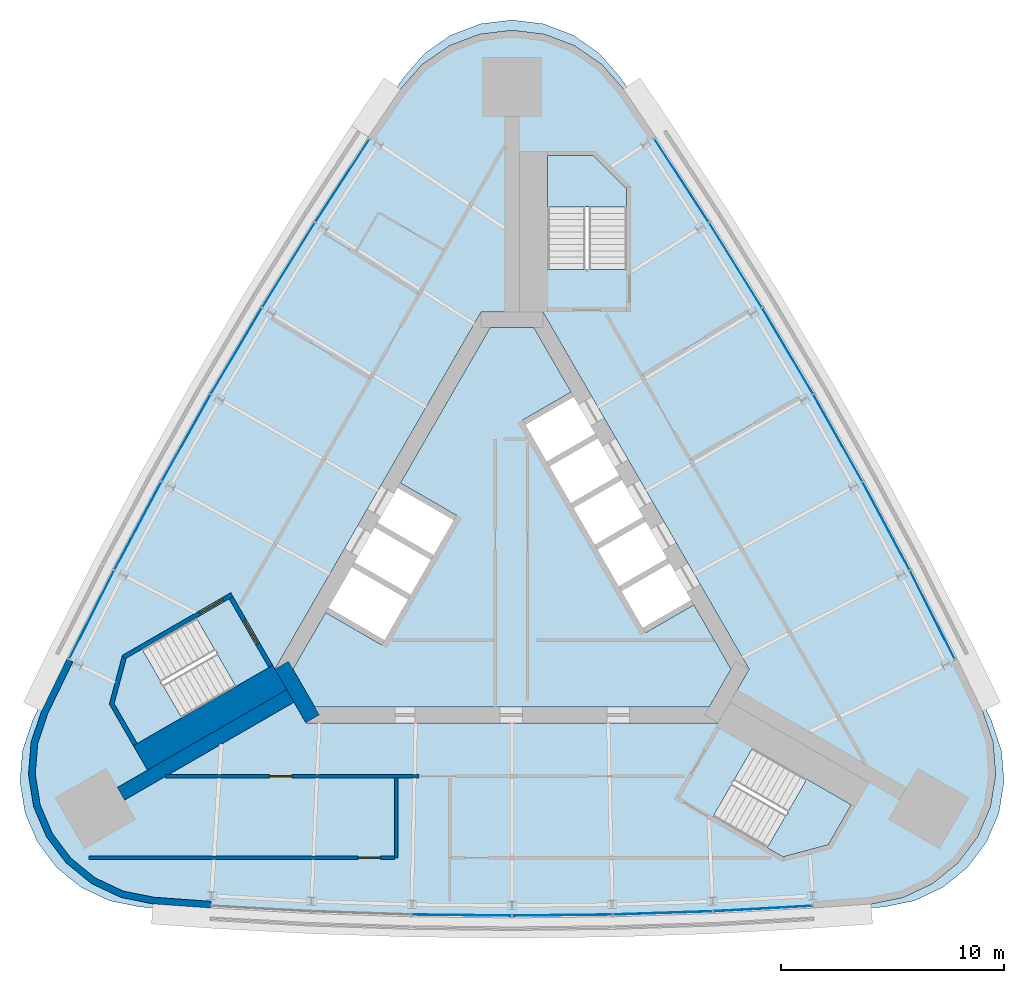
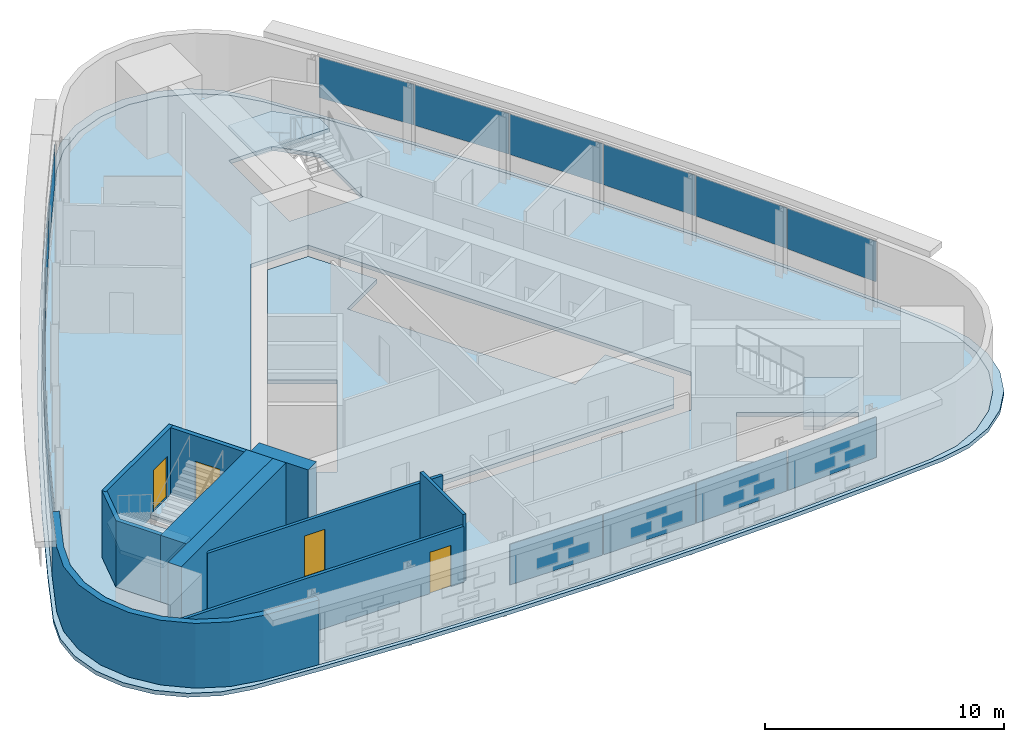
# One storey, part 6 of 11: 16 plates, 10 walls, 6 slabs, 4 doors, 4 openings, 6 elements without a shape of their own.
"""IFC4 building model written with IfcOpenShell, lengths in metres."""

from ifc_helpers import new_model, si_unit, direction, frame, frame_2d, origin, origin_2d, place, context, subcontext, project, spatial, polyline, rectangle, outline, extrude, material, layer, layer_set, type_object, element, fill, aggregate, save


model = new_model("IFC4")

# Units and contexts
model_context = context("Model", 3, precision=1e-05, world=origin(), true_north=direction((0.0, 1.0)))
body_context = subcontext(model_context, "Body", "Model", "MODEL_VIEW")
ifc_project = project(units=[si_unit("LENGTHUNIT", "METRE"), si_unit("AREAUNIT", "SQUARE_METRE"), si_unit("VOLUMEUNIT", "CUBIC_METRE"), si_unit("PLANEANGLEUNIT", "RADIAN"), si_unit("MASSUNIT", "GRAM", prefix="KILO")], contexts=[model_context])

# Site, building, storey
site_placement = place(None, origin())
site = spatial("IfcSite", under=ifc_project, at=site_placement, CompositionType="ELEMENT")
building_placement = place(site_placement, origin())
building = spatial("IfcBuilding", under=site, at=building_placement, Name="Noor Cloister Tower", CompositionType="ELEMENT")
storey_placement = place(building_placement, frame((0.0, 0.0, 203.10009765625)))
storey = spatial("IfcBuildingStorey", under=building, at=storey_placement, Name="L52", CompositionType="ELEMENT", Elevation=203.10009765625)

# Slabs
ifc_material_1 = material(Name="Concrete C40/50", Category="concrete")
ifc_layer_1 = layer(ifc_material_1, 0.199951171875)
ifc_layer_set_1 = layer_set([ifc_layer_1], Name="Core floor slab 200 C40/50")
slab_type_1 = type_object("IfcSlabType", Name="Core floor slab 200 C40/50", PredefinedType="FLOOR", material=ifc_layer_set_1)
slab_1_placement = place(storey_placement, frame((0.0, 0.0, -0.2001953125)))
element("IfcSlab", 1, at=slab_1_placement, inside=storey, type_object=slab_type_1, Name="Core floor L52", PredefinedType="FLOOR", context=body_context, shape_type="SweptSolid", body=[
    extrude(outline(polyline([(2.643798828125, 7.877197265625), (0.9814453125, 10.75634765625), (-0.9814453125, 10.75634765625), (-4.993896484375, 3.806884765625), (-2.482421875, 2.35693359375), (-5.832275390625, -3.4453125), (-8.34375, -1.995361328125), (-9.80615234375, -4.5283203125), (-8.82470703125, -6.228271484375), (8.82470703125, -6.228271484375), (9.80615234375, -4.5283203125), (8.143798828125, -1.64892578125), (5.978759765625, -2.89892578125), (0.478759765625, 6.627197265625), (2.643798828125, 7.877197265625)])), origin(), (0.0, 0.0, 1.0), 0.2001953125),
])
ifc_material_2 = material(Name="Concrete C40/50", Category="concrete")
ifc_layer_2 = layer(ifc_material_2, 0.199951171875)
ifc_layer_set_2 = layer_set([ifc_layer_2], Name="Floor slab 200 C40/50")
slab_type_2 = type_object("IfcSlabType", Name="Floor slab 200 C40/50", PredefinedType="FLOOR", material=ifc_layer_set_2)
slab_2_placement = place(storey_placement, frame((0.0, 0.0, -0.2001953125)))
element("IfcSlab", 2, at=slab_2_placement, inside=storey, type_object=slab_type_2, Name="Floor slab L52", PredefinedType="FLOOR", context=body_context, shape_type="SweptSolid", body=[
    extrude(outline(polyline([(4.985107421875, 21.43994140625), (4.018310546875, 22.535888671875), (2.816650390625, 23.36767578125), (1.45068359375, 23.88720703125), (0.0, 24.063720703125), (-1.45068359375, 23.88720703125), (-2.816650390625, 23.36767578125), (-4.018310546875, 22.535888671875), (-4.985107421875, 21.43994140625), (-6.43896484375, 19.294677734375), (-8.898681640625, 15.526611328125), (-11.275390625, 11.70556640625), (-13.56787109375, 7.83349609375), (-15.775146484375, 3.912109375), (-17.895751953125, -0.056884765625), (-19.92919921875, -4.071044921875), (-21.060302734375, -6.40283203125), (-21.52587890625, -7.7880859375), (-21.6455078125, -9.24462890625), (-21.412353515625, -10.687255859375), (-20.83984375, -12.031982421875), (-19.96142578125, -13.199951171875), (-18.82861328125, -14.123291015625), (-17.507568359375, -14.747802734375), (-16.074951171875, -15.037353515625), (-13.490234375, -15.2236328125), (-8.9970703125, -15.469970703125), (-4.499755859375, -15.61767578125), (0.0, -15.666748046875), (4.499755859375, -15.61767578125), (8.9970703125, -15.469970703125), (13.490234375, -15.2236328125), (16.074951171875, -15.037353515625), (17.507568359375, -14.747802734375), (18.82861328125, -14.123291015625), (19.96142578125, -13.199951171875), (20.83984375, -12.031982421875), (21.412353515625, -10.687255859375), (21.6455078125, -9.24462890625), (21.52587890625, -7.7880859375), (21.060302734375, -6.40283203125), (19.92919921875, -4.071044921875), (17.895751953125, -0.056884765625), (15.775146484375, 3.912109375), (13.56787109375, 7.83349609375), (11.275390625, 11.70556640625), (8.898681640625, 15.526611328125), (6.43896484375, 19.294677734375), (4.985107421875, 21.43994140625)]), holes=[polyline([(8.999755859375, -11.126220703125), (12.131591796875, -12.934326171875), (14.1572265625, -12.3916015625), (15.19091796875, -10.601318359375), (10.774658203125, -8.0517578125), (8.999755859375, -11.126220703125)]), polyline([(-17.81005859375, -6.064697265625), (-16.776611328125, -7.85498046875), (-12.3603515625, -5.305419921875), (-14.13525390625, -2.23095703125), (-16.662841796875, -3.690185546875), (-17.267333984375, -4.039306640625), (-17.81005859375, -6.064697265625)]), polyline([(-10.6142578125, -4.5283203125), (-9.228759765625, -6.92822265625), (9.228759765625, -6.92822265625), (10.6142578125, -4.5283203125), (1.3857421875, 11.456298828125), (-1.3857421875, 11.456298828125), (-10.6142578125, -4.5283203125)]), polyline([(3.65283203125, 18.456298828125), (1.585693359375, 18.456298828125), (1.585693359375, 13.35693359375), (5.135498046875, 13.35693359375), (5.135498046875, 16.9736328125), (3.65283203125, 18.456298828125)])]), origin(), (0.0, 0.0, 1.0), 0.2001953125),
])

# Curtain wall, plates
ifc_material_3 = material(Name="Aluminium 6063-T6 anodised", Category="aluminium")
curtain_wall_type = type_object("IfcCurtainWallType", Name="Ribbon curtain wall, upper tower CW5", PredefinedType="NOTDEFINED", material=ifc_material_3)
curtain_wall_1_placement = place(storey_placement, origin())
curtain_wall_1 = element("IfcCurtainWall", 3, at=curtain_wall_1_placement, inside=storey, type_object=curtain_wall_type, Name="CW5 L52 NW run 1", PredefinedType="NOTDEFINED")
ifc_material_4 = material(Name="Clear laminated glass 2 x 8 mm", Category="glass")
ifc_layer_3 = layer(ifc_material_4, 0.028076171875)
ifc_layer_set_3 = layer_set([ifc_layer_3], Name="Glass panel CW5")
plate_type = type_object("IfcPlateType", Name="Glass panel CW5", PredefinedType="CURTAIN_PANEL", material=ifc_layer_set_3)
plate_1_placement = place(storey_placement, frame((-7.594482421875, 17.341796875, 1.08984375), z_axis=(0.0, 0.0, 1.0), x_axis=(-0.546624100567, -0.837378106162, 0.0)))
plate_1 = element("IfcPlate", 4, at=plate_1_placement, type_object=plate_type, Name="CW5 glass panel 1", PredefinedType="CURTAIN_PANEL", context=body_context, shape_type="SweptSolid", body=[
    extrude(rectangle(XDim=4.413818359375, YDim=0.028076171875, at=origin_2d()), origin(), (0.0, 0.0, 1.0), 2.070068359375),
])
plate_2_placement = place(storey_placement, frame((-10.002197265625, 13.563232421875, 1.08984375), z_axis=(0.0, 0.0, 1.0), x_axis=(-0.528163163581, -0.84914290472, 0.0)))
plate_2 = element("IfcPlate", 5, at=plate_2_placement, type_object=plate_type, Name="CW5 glass panel 2", PredefinedType="CURTAIN_PANEL", context=body_context, shape_type="SweptSolid", body=[
    extrude(rectangle(XDim=4.44775390625, YDim=0.028076171875, at=origin_2d()), origin(), (0.0, 0.0, 1.0), 2.070068359375),
])
plate_3_placement = place(storey_placement, frame((-12.335693359375, 9.718505859375, 1.08984375), z_axis=(0.0, 0.0, 1.0), x_axis=(-0.509449137015, -0.860500770944, 0.0)))
plate_3 = element("IfcPlate", 6, at=plate_3_placement, type_object=plate_type, Name="CW5 glass panel 3", PredefinedType="CURTAIN_PANEL", context=body_context, shape_type="SweptSolid", body=[
    extrude(rectangle(XDim=4.44775390625, YDim=0.028076171875, at=origin_2d()), origin(), (0.0, 0.0, 1.0), 2.070068359375),
])
plate_4_placement = place(storey_placement, frame((-14.584228515625, 5.82373046875, 1.08984375), z_axis=(0.0, 0.0, 1.0), x_axis=(-0.490490959106, -0.871446280063, 0.0)))
plate_4 = element("IfcPlate", 7, at=plate_4_placement, type_object=plate_type, Name="CW5 glass panel 4", PredefinedType="CURTAIN_PANEL", context=body_context, shape_type="SweptSolid", body=[
    extrude(rectangle(XDim=4.44775390625, YDim=0.028076171875, at=origin_2d()), origin(), (0.0, 0.0, 1.0), 2.070068359375),
])
plate_5_placement = place(storey_placement, frame((-16.747314453125, 1.88037109375, 1.08984375), z_axis=(0.0, 0.0, 1.0), x_axis=(-0.471297745141, -0.881974169364, 0.0)))
plate_5 = element("IfcPlate", 8, at=plate_5_placement, type_object=plate_type, Name="CW5 glass panel 5", PredefinedType="CURTAIN_PANEL", context=body_context, shape_type="SweptSolid", body=[
    extrude(rectangle(XDim=4.44775390625, YDim=0.028076171875, at=origin_2d()), origin(), (0.0, 0.0, 1.0), 2.070068359375),
])
plate_6_placement = place(storey_placement, frame((-18.815673828125, -2.093994140625, 1.08984375), z_axis=(0.0, 0.0, 1.0), x_axis=(-0.451878662226, -0.892079410493, 0.0)))
plate_6 = element("IfcPlate", 9, at=plate_6_placement, type_object=plate_type, Name="CW5 glass panel 6", PredefinedType="CURTAIN_PANEL", context=body_context, shape_type="SweptSolid", body=[
    extrude(rectangle(XDim=4.413818359375, YDim=0.028076171875, at=origin_2d()), origin(), (0.0, 0.0, 1.0), 2.070068359375),
])
aggregate(curtain_wall_1, [plate_1, plate_2, plate_3, plate_4, plate_5, plate_6])

curtain_wall_2_placement = place(storey_placement, origin())
curtain_wall_2 = element("IfcCurtainWall", 10, at=curtain_wall_2_placement, inside=storey, type_object=curtain_wall_type, Name="CW5 L52 S run 2", PredefinedType="NOTDEFINED")
plate_7_placement = place(storey_placement, frame((-2.248779296875, -15.542236328125, 1.08984375), z_axis=(0.0, 0.0, 1.0), x_axis=(0.999940096121, -0.010945509119, 0.0)))
plate_7 = element("IfcPlate", 11, at=plate_7_placement, type_object=plate_type, Name="CW5 glass panel 3", PredefinedType="CURTAIN_PANEL", context=body_context, shape_type="SweptSolid", body=[
    extrude(rectangle(XDim=4.44775390625, YDim=0.028076171875, at=origin_2d()), origin(), (0.0, 0.0, 1.0), 2.070068359375),
])
plate_8_placement = place(storey_placement, frame((2.248779296875, -15.542236328125, 1.08984375), z_axis=(0.0, 0.0, 1.0), x_axis=(0.999940096121, 0.010945509119, 0.0)))
plate_8 = element("IfcPlate", 12, at=plate_8_placement, type_object=plate_type, Name="CW5 glass panel 4", PredefinedType="CURTAIN_PANEL", context=body_context, shape_type="SweptSolid", body=[
    extrude(rectangle(XDim=4.44775390625, YDim=0.028076171875, at=origin_2d()), origin(), (0.0, 0.0, 1.0), 2.070068359375),
])
plate_9_placement = place(storey_placement, frame((6.7451171875, -15.44384765625, 1.08984375), z_axis=(0.0, 0.0, 1.0), x_axis=(0.999460908721, 0.032831264644, 0.0)))
plate_9 = element("IfcPlate", 13, at=plate_9_placement, type_object=plate_type, Name="CW5 glass panel 5", PredefinedType="CURTAIN_PANEL", context=body_context, shape_type="SweptSolid", body=[
    extrude(rectangle(XDim=4.44775390625, YDim=0.028076171875, at=origin_2d()), origin(), (0.0, 0.0, 1.0), 2.070068359375),
])
plate_10_placement = place(storey_placement, frame((11.221435546875, -15.247802734375, 1.08984375), z_axis=(0.0, 0.0, 1.0), x_axis=(0.998502762793, 0.054701304331, 0.0)))
plate_10 = element("IfcPlate", 14, at=plate_10_placement, type_object=plate_type, Name="CW5 glass panel 6", PredefinedType="CURTAIN_PANEL", context=body_context, shape_type="SweptSolid", body=[
    extrude(rectangle(XDim=4.413818359375, YDim=0.028076171875, at=origin_2d()), origin(), (0.0, 0.0, 1.0), 2.070068359375),
])
aggregate(curtain_wall_2, [plate_7, plate_8, plate_9, plate_10])

curtain_wall_3_placement = place(storey_placement, origin())
curtain_wall_3 = element("IfcCurtainWall", 15, at=curtain_wall_3_placement, inside=storey, type_object=curtain_wall_type, Name="CW5 L52 NE run 3", PredefinedType="NOTDEFINED")
plate_11_placement = place(storey_placement, frame((18.815673828125, -2.093994140625, 1.08984375), z_axis=(0.0, 0.0, 1.0), x_axis=(-0.451878662226, 0.892079410493, 0.0)))
plate_11 = element("IfcPlate", 16, at=plate_11_placement, type_object=plate_type, Name="CW5 glass panel 1", PredefinedType="CURTAIN_PANEL", context=body_context, shape_type="SweptSolid", body=[
    extrude(rectangle(XDim=4.413818359375, YDim=0.028076171875, at=origin_2d()), origin(), (0.0, 0.0, 1.0), 2.070068359375),
])
plate_12_placement = place(storey_placement, frame((16.747314453125, 1.88037109375, 1.08984375), z_axis=(0.0, 0.0, 1.0), x_axis=(-0.471297745141, 0.881974169364, 0.0)))
plate_12 = element("IfcPlate", 17, at=plate_12_placement, type_object=plate_type, Name="CW5 glass panel 2", PredefinedType="CURTAIN_PANEL", context=body_context, shape_type="SweptSolid", body=[
    extrude(rectangle(XDim=4.44775390625, YDim=0.028076171875, at=origin_2d()), origin(), (0.0, 0.0, 1.0), 2.070068359375),
])
plate_13_placement = place(storey_placement, frame((14.584228515625, 5.82373046875, 1.08984375), z_axis=(0.0, 0.0, 1.0), x_axis=(-0.490490959106, 0.871446280063, 0.0)))
plate_13 = element("IfcPlate", 18, at=plate_13_placement, type_object=plate_type, Name="CW5 glass panel 3", PredefinedType="CURTAIN_PANEL", context=body_context, shape_type="SweptSolid", body=[
    extrude(rectangle(XDim=4.44775390625, YDim=0.028076171875, at=origin_2d()), origin(), (0.0, 0.0, 1.0), 2.070068359375),
])
plate_14_placement = place(storey_placement, frame((12.335693359375, 9.718505859375, 1.08984375), z_axis=(0.0, 0.0, 1.0), x_axis=(-0.509449137015, 0.860500770944, 0.0)))
plate_14 = element("IfcPlate", 19, at=plate_14_placement, type_object=plate_type, Name="CW5 glass panel 4", PredefinedType="CURTAIN_PANEL", context=body_context, shape_type="SweptSolid", body=[
    extrude(rectangle(XDim=4.44775390625, YDim=0.028076171875, at=origin_2d()), origin(), (0.0, 0.0, 1.0), 2.070068359375),
])
plate_15_placement = place(storey_placement, frame((10.002197265625, 13.563232421875, 1.08984375), z_axis=(0.0, 0.0, 1.0), x_axis=(-0.528163163581, 0.84914290472, 0.0)))
plate_15 = element("IfcPlate", 20, at=plate_15_placement, type_object=plate_type, Name="CW5 glass panel 5", PredefinedType="CURTAIN_PANEL", context=body_context, shape_type="SweptSolid", body=[
    extrude(rectangle(XDim=4.44775390625, YDim=0.028076171875, at=origin_2d()), origin(), (0.0, 0.0, 1.0), 2.070068359375),
])
plate_16_placement = place(storey_placement, frame((7.594482421875, 17.341796875, 1.08984375), z_axis=(0.0, 0.0, 1.0), x_axis=(-0.546624100567, 0.837378106162, 0.0)))
plate_16 = element("IfcPlate", 21, at=plate_16_placement, type_object=plate_type, Name="CW5 glass panel 6", PredefinedType="CURTAIN_PANEL", context=body_context, shape_type="SweptSolid", body=[
    extrude(rectangle(XDim=4.413818359375, YDim=0.028076171875, at=origin_2d()), origin(), (0.0, 0.0, 1.0), 2.070068359375),
])
aggregate(curtain_wall_3, [plate_11, plate_12, plate_13, plate_14, plate_15, plate_16])

# Slab
ifc_material_5 = material(Name="Concrete C40/50", Category="concrete")
ifc_layer_4 = layer(ifc_material_5, 0.199951171875)
ifc_layer_set_4 = layer_set([ifc_layer_4], Name="Ledge roof 200 C40/50")
slab_type_3 = type_object("IfcSlabType", Name="Ledge roof 200 C40/50", PredefinedType="ROOF", material=ifc_layer_set_4)
slab_3_placement = place(storey_placement, frame((0.0, 0.0, -0.2001953125)))
element("IfcSlab", 22, at=slab_3_placement, inside=storey, type_object=slab_type_3, Name="Ledge roof L52", PredefinedType="ROOF", context=body_context, shape_type="SweptSolid", body=[
    extrude(outline(polyline([(6.59521484375, 19.38525390625), (4.82177734375, 21.9990234375), (3.88525390625, 23.056884765625), (2.72314453125, 23.859619140625), (1.40234375, 24.36083984375), (0.0, 24.531005859375), (-1.40234375, 24.36083984375), (-2.72314453125, 23.859619140625), (-3.88525390625, 23.056884765625), (-4.82177734375, 21.9990234375), (-6.59521484375, 19.38525390625), (-9.052490234375, 15.615478515625), (-11.427734375, 11.79345703125), (-13.7197265625, 7.921142578125), (-15.927490234375, 4.0), (-18.0498046875, 0.031982421875), (-20.085693359375, -3.98095703125), (-21.462646484375, -6.823974609375), (-21.910400390625, -8.16357421875), (-22.024658203125, -9.571533203125), (-21.798095703125, -10.966064453125), (-21.24462890625, -12.265625), (-20.39599609375, -13.394775390625), (-19.301513671875, -14.2880859375), (-18.025146484375, -14.893310546875), (-16.640869140625, -15.17529296875), (-13.490478515625, -15.404052734375), (-8.9970703125, -15.6474609375), (-4.499755859375, -15.79345703125), (0.0, -15.84228515625), (4.499755859375, -15.79345703125), (8.9970703125, -15.6474609375), (13.490478515625, -15.404052734375), (16.640869140625, -15.17529296875), (18.025146484375, -14.893310546875), (19.301513671875, -14.2880859375), (20.39599609375, -13.394775390625), (21.24462890625, -12.265625), (21.798095703125, -10.966064453125), (22.024658203125, -9.571533203125), (21.910400390625, -8.16357421875), (21.462646484375, -6.823974609375), (20.085693359375, -3.98095703125), (18.0498046875, 0.031982421875), (15.927490234375, 4.0), (13.7197265625, 7.921142578125), (11.427734375, 11.79345703125), (9.052490234375, 15.615478515625), (6.59521484375, 19.38525390625)]), holes=[polyline([(2.816650390625, 23.36767578125), (1.45068359375, 23.88720703125), (0.0, 24.063720703125), (-1.45068359375, 23.88720703125), (-2.816650390625, 23.36767578125), (-4.018310546875, 22.535888671875), (-4.985107421875, 21.43994140625), (-6.43896484375, 19.294677734375), (-8.898681640625, 15.526611328125), (-11.275390625, 11.70556640625), (-13.56787109375, 7.83349609375), (-15.775146484375, 3.912109375), (-17.895751953125, -0.056884765625), (-19.92919921875, -4.071044921875), (-21.060302734375, -6.40283203125), (-21.52587890625, -7.7880859375), (-21.6455078125, -9.24462890625), (-21.412353515625, -10.687255859375), (-20.83984375, -12.031982421875), (-19.96142578125, -13.199951171875), (-18.82861328125, -14.123291015625), (-17.507568359375, -14.747802734375), (-16.074951171875, -15.037353515625), (-13.490234375, -15.2236328125), (-8.9970703125, -15.469970703125), (-4.499755859375, -15.61767578125), (0.0, -15.666748046875), (4.499755859375, -15.61767578125), (8.9970703125, -15.469970703125), (13.490234375, -15.2236328125), (16.074951171875, -15.037353515625), (17.507568359375, -14.747802734375), (18.82861328125, -14.123291015625), (19.96142578125, -13.199951171875), (20.83984375, -12.031982421875), (21.412353515625, -10.687255859375), (21.6455078125, -9.24462890625), (21.52587890625, -7.7880859375), (21.060302734375, -6.40283203125), (19.92919921875, -4.071044921875), (17.895751953125, -0.056884765625), (15.775146484375, 3.912109375), (13.56787109375, 7.83349609375), (11.275390625, 11.70556640625), (8.898681640625, 15.526611328125), (6.43896484375, 19.294677734375), (4.985107421875, 21.43994140625), (4.018310546875, 22.535888671875), (2.816650390625, 23.36767578125)])]), origin(), (0.0, 0.0, 1.0), 0.2001953125),
])

# Stair, slab
ifc_material_6 = material(Name="Concrete C40/50", Category="concrete")
stair_type = type_object("IfcStairType", Name="Exit stair 22 risers", PredefinedType="HALF_TURN_STAIR", material=ifc_material_6)
stair_1_placement = place(storey_placement, origin())
stair_1 = element("IfcStair", 23, at=stair_1_placement, inside=storey, type_object=stair_type, Name="Exit stair ST1 L52", PredefinedType="HALF_TURN_STAIR")
ifc_material_7 = material(Name="Concrete C40/50", Category="concrete")
ifc_layer_5 = layer(ifc_material_7, 0.199951171875)
ifc_layer_set_5 = layer_set([ifc_layer_5], Name="Stair landing 200 C40/50")
slab_type_4 = type_object("IfcSlabType", Name="Stair landing 200 C40/50", PredefinedType="LANDING", material=ifc_layer_set_5)
slab_4_placement = place(storey_placement, frame((0.0, 0.0, 1.599853515625)))
slab_4 = element("IfcSlab", 24, at=slab_4_placement, type_object=slab_type_4, Name="ST1 landing 1", PredefinedType="LANDING", context=body_context, shape_type="SweptSolid", body=[
    extrude(outline(polyline([(5.135498046875, 16.15576171875), (5.135498046875, 16.9736328125), (3.65283203125, 18.456298828125), (1.585693359375, 18.456298828125), (1.585693359375, 16.15576171875), (5.135498046875, 16.15576171875)])), origin(), (0.0, 0.0, 1.0), 0.199951171875),
])
aggregate(stair_1, [slab_4])

stair_2_placement = place(storey_placement, origin())
stair_2 = element("IfcStair", 25, at=stair_2_placement, inside=storey, type_object=stair_type, Name="Exit stair ST2 L52", PredefinedType="HALF_TURN_STAIR")
slab_5_placement = place(storey_placement, frame((0.0, 0.0, 1.599853515625)))
slab_5 = element("IfcSlab", 26, at=slab_5_placement, type_object=slab_type_4, Name="ST2 landing 1", PredefinedType="LANDING", context=body_context, shape_type="SweptSolid", body=[
    extrude(outline(polyline([(-16.55908203125, -3.63037109375), (-17.267333984375, -4.039306640625), (-17.81005859375, -6.064697265625), (-16.776611328125, -7.85498046875), (-14.7841796875, -6.70458984375), (-16.55908203125, -3.63037109375)])), origin(), (0.0, 0.0, 1.0), 0.199951171875),
])
aggregate(stair_2, [slab_5])

stair_3_placement = place(storey_placement, origin())
stair_3 = element("IfcStair", 27, at=stair_3_placement, inside=storey, type_object=stair_type, Name="Exit stair ST3 L52", PredefinedType="HALF_TURN_STAIR")
slab_6_placement = place(storey_placement, frame((0.0, 0.0, 1.599853515625)))
slab_6 = element("IfcSlab", 28, at=slab_6_placement, type_object=slab_type_4, Name="ST3 landing 1", PredefinedType="LANDING", context=body_context, shape_type="SweptSolid", body=[
    extrude(outline(polyline([(11.423583984375, -12.525390625), (12.131591796875, -12.934326171875), (14.1572265625, -12.3916015625), (15.19091796875, -10.601318359375), (13.198486328125, -9.451171875), (11.423583984375, -12.525390625)])), origin(), (0.0, 0.0, 1.0), 0.199951171875),
])
aggregate(stair_3, [slab_6])

# Walls
ifc_material_8 = material(Name="Concrete C70/85", Category="concrete")
ifc_layer_6 = layer(ifc_material_8, 0.64990234375)
ifc_layer_set_6 = layer_set([ifc_layer_6], Name="Buttress wall 650 C70/85")
wall_type_1 = type_object("IfcWallType", Name="Buttress wall 650 C70/85", PredefinedType="SHEAR", material=ifc_layer_set_6)
wall_1_placement = place(storey_placement, frame((-9.921630859375, -5.728271484375, -0.2001953125), z_axis=(0.0, 0.0, 1.0), x_axis=(-0.866030064713, -0.499991926948, 0.0)))
element("IfcWall", 29, at=wall_1_placement, inside=storey, type_object=wall_type_1, Name="Buttress wall SW L52", PredefinedType="SHEAR", context=body_context, shape_type="SweptSolid", body=[
    extrude(rectangle(XDim=8.757568359375, YDim=0.64990234375, at=frame_2d((4.37890625, 0.0))), origin(), (0.0, 0.0, 1.0), 3.60009765625),
])
ifc_material_9 = material(Name="Concrete C70/85", Category="concrete")
ifc_layer_7 = layer(ifc_material_9, 0.699951171875)
ifc_layer_set_7 = layer_set([ifc_layer_7], Name="Core wall 700 C70/85")
wall_type_2 = type_object("IfcWallType", Name="Core wall 700 C70/85", PredefinedType="SHEAR", material=ifc_layer_set_7)
wall_2_placement = place(storey_placement, frame((-10.311279296875, -4.353271484375, -0.2001953125), z_axis=(0.0, 0.0, 1.0), x_axis=(0.500042739161, -0.866000726912, 0.0)))
element("IfcWall", 30, at=wall_2_placement, inside=storey, type_object=wall_type_2, Name="Core wall L52 6", PredefinedType="SHEAR", context=body_context, shape_type="SweptSolid", body=[
    extrude(rectangle(XDim=2.771240234375, YDim=0.699951171875, at=frame_2d((1.3857421875, 0.0))), origin(), (0.0, 0.0, 1.0), 3.60009765625),
])

# Wall, opening, door
ifc_material_10 = material(Name="Gypsum board partition on steel studs, 150 mm", Category="steel")
ifc_layer_8 = layer(ifc_material_10, 0.14990234375)
ifc_layer_set_8 = layer_set([ifc_layer_8], Name="Flat wall 150")
wall_type_3 = type_object("IfcWallType", Name="Flat wall 150", PredefinedType="PARTITIONING", material=ifc_layer_set_8)
wall_3_placement = place(storey_placement, frame((-15.5068359375, -9.328125, 0.0), z_axis=(0.0, 0.0, 1.0), x_axis=(1.0, 0.0, 0.0)))
wall_3 = element("IfcWall", 31, at=wall_3_placement, inside=storey, type_object=wall_type_3, Name="Wall L52-W06", PredefinedType="PARTITIONING", context=body_context, shape_type="SweptSolid", body=[
    extrude(rectangle(XDim=11.344970703125, YDim=0.14990234375, at=frame_2d((5.67236328125, 0.0))), origin(), (0.0, 0.0, 1.0), 2.851806640625),
])
opening_1_placement = place(wall_3_placement, frame((4.661376953125, 0.0, 0.0)))
opening_1 = element("IfcOpeningElement", 32, at=opening_1_placement, cuts=wall_3, Name="Opening L52-006", PredefinedType="OPENING", context=body_context, shape_type="SweptSolid", body=[
    extrude(rectangle(XDim=1.0, YDim=2.10009765625, at=frame_2d((0.5, 1.050048828125))), frame((0.0, 0.0849609375, 0.0), z_axis=(0.0, -1.0, 0.0), x_axis=(1.0, 0.0, 0.0)), (0.0, 0.0, 1.0), 0.169921875),
])
ifc_material_11 = material(Name="Timber door leaf with steel frame", Category="steel")
door_type_1 = type_object("IfcDoorType", Name="Interior door 1000 FD60", OperationType="NOTDEFINED", PredefinedType="DOOR", material=ifc_material_11)
door_1_placement = place(opening_1_placement, origin())
door_1 = element("IfcDoor", 33, at=door_1_placement, inside=storey, type_object=door_type_1, Name="Door L52-006", OperationType="SINGLE_SWING_RIGHT", OverallHeight=2.10009765625, OverallWidth=1.0, PredefinedType="DOOR", context=body_context, shape_type="SweptSolid", body=[
    extrude(rectangle(XDim=1.0, YDim=2.10009765625, at=frame_2d((0.5, 1.050048828125))), frame((0.0, 0.02490234375, 0.0), z_axis=(0.0, -1.0, 0.0), x_axis=(1.0, 0.0, 0.0)), (0.0, 0.0, 1.0), 0.050048828125),
])
fill(opening_1, door_1)

# Wall
wall_4_placement = place(storey_placement, frame((-5.184326171875, -9.4033203125, 0.0), z_axis=(0.0, 0.0, 1.0), x_axis=(0.0, -1.0, 0.0)))
element("IfcWall", 34, at=wall_4_placement, inside=storey, type_object=wall_type_3, Name="Wall L52-W09", PredefinedType="PARTITIONING", context=body_context, shape_type="SweptSolid", body=[
    extrude(rectangle(XDim=3.5751953125, YDim=0.14990234375, at=frame_2d((1.78759765625, 0.0))), origin(), (0.0, 0.0, 1.0), 3.39990234375),
])

# Wall, opening, door
wall_5_placement = place(storey_placement, frame((-18.9296875, -12.978515625, 0.0), z_axis=(0.0, 0.0, 1.0), x_axis=(1.0, 0.0, 0.0)))
wall_5 = element("IfcWall", 35, at=wall_5_placement, inside=storey, type_object=wall_type_3, Name="Wall L52-W12", PredefinedType="PARTITIONING", context=body_context, shape_type="SweptSolid", body=[
    extrude(rectangle(XDim=13.670166015625, YDim=0.14990234375, at=frame_2d((6.8349609375, 0.0))), origin(), (0.0, 0.0, 1.0), 2.851806640625),
])
opening_2_placement = place(wall_5_placement, frame((12.045166015625, 0.0, 0.0)))
opening_2 = element("IfcOpeningElement", 36, at=opening_2_placement, cuts=wall_5, Name="Opening L52-005", PredefinedType="OPENING", context=body_context, shape_type="SweptSolid", body=[
    extrude(rectangle(XDim=1.0, YDim=2.10009765625, at=frame_2d((0.5, 1.050048828125))), frame((0.0, 0.0849609375, 0.0), z_axis=(0.0, -1.0, 0.0), x_axis=(1.0, 0.0, 0.0)), (0.0, 0.0, 1.0), 0.169921875),
])
door_2_placement = place(opening_2_placement, origin())
door_2 = element("IfcDoor", 37, at=door_2_placement, inside=storey, type_object=door_type_1, Name="Door L52-005", OperationType="SINGLE_SWING_LEFT", OverallHeight=2.10009765625, OverallWidth=1.0, PredefinedType="DOOR", context=body_context, shape_type="SweptSolid", body=[
    extrude(rectangle(XDim=1.0, YDim=2.10009765625, at=frame_2d((0.5, 1.050048828125))), frame((0.0, 0.02490234375, 0.0), z_axis=(0.0, -1.0, 0.0), x_axis=(1.0, 0.0, 0.0)), (0.0, 0.0, 1.0), 0.050048828125),
])
fill(opening_2, door_2)

# Walls
ifc_material_12 = material(Name="Limestone", Category="masonry")
ifc_layer_9 = layer(ifc_material_12, 0.300048828125)
ifc_layer_set_9 = layer_set([ifc_layer_9], Name="Limestone cladding 300")
wall_type_4 = type_object("IfcWallType", Name="Limestone cladding 300", PredefinedType="NOTDEFINED", material=ifc_layer_set_9)
wall_6_placement = place(storey_placement, origin())
element("IfcWall", 38, at=wall_6_placement, inside=storey, type_object=wall_type_4, Name="Limestone pier cladding L52 1.1", PredefinedType="NOTDEFINED", context=body_context, shape_type="SweptSolid", body=[
    extrude(outline(polyline([(-19.92919921875, -4.071044921875), (-21.060302734375, -6.40283203125), (-21.52587890625, -7.7880859375), (-21.6455078125, -9.24462890625), (-21.412353515625, -10.687255859375), (-20.83984375, -12.03173828125), (-19.96142578125, -13.199951171875), (-18.82861328125, -14.123291015625), (-17.507568359375, -14.747802734375), (-16.074951171875, -15.037353515625), (-13.490234375, -15.2236328125), (-13.46875, -14.924560546875), (-16.034423828125, -14.739501953125), (-17.412353515625, -14.4609375), (-18.66748046875, -13.86767578125), (-19.74365234375, -12.990478515625), (-20.578125, -11.880859375), (-21.121826171875, -10.603271484375), (-21.343505859375, -9.232666015625), (-21.229736328125, -7.848876953125), (-20.781982421875, -6.516357421875), (-19.659423828125, -4.201904296875), (-19.92919921875, -4.071044921875)])), origin(), (0.0, 0.0, 1.0), 3.2998046875),
])
ifc_material_13 = material(Name="Concrete C70/85", Category="concrete")
ifc_layer_10 = layer(ifc_material_13, 1.260986328125)
ifc_layer_set_10 = layer_set([ifc_layer_10], Name="Stair enclosure wall 1261 C70/85")
wall_type_5 = type_object("IfcWallType", Name="Stair enclosure wall 1261 C70/85", PredefinedType="SHEAR", material=ifc_layer_set_10)
wall_7_placement = place(storey_placement, frame((-10.399169921875, -4.90087890625, -0.2001953125), z_axis=(0.0, 0.0, 1.0), x_axis=(-0.866018442252, -0.500012057535, 0.0)))
element("IfcWall", 39, at=wall_7_placement, inside=storey, type_object=wall_type_5, Name="Stair enclosure wall ST2 L52 riser side", PredefinedType="SHEAR", context=body_context, shape_type="SweptSolid", body=[
    extrude(rectangle(XDim=7.199951171875, YDim=1.2607421875, at=frame_2d((3.60009765625, 0.0))), origin(), (0.0, 0.0, 1.0), 3.60009765625),
])

# Wall, opening, door
ifc_material_14 = material(Name="Concrete C70/85", Category="concrete")
ifc_layer_11 = layer(ifc_material_14, 0.199951171875)
ifc_layer_set_11 = layer_set([ifc_layer_11], Name="Stair enclosure wall 200 C70/85")
wall_type_6 = type_object("IfcWallType", Name="Stair enclosure wall 200 C70/85", PredefinedType="SHEAR", material=ifc_layer_set_11)
wall_8_placement = place(storey_placement, frame((-12.575927734375, -1.33056640625, -0.2001953125), z_axis=(0.0, 0.0, 1.0), x_axis=(0.499970499736, -0.8660424351, 0.0)))
wall_8 = element("IfcWall", 40, at=wall_8_placement, inside=storey, type_object=wall_type_6, Name="Stair enclosure wall ST2 L52 near end", PredefinedType="SHEAR", context=body_context, shape_type="SweptSolid", body=[
    extrude(rectangle(XDim=3.550048828125, YDim=0.199951171875, at=frame_2d((1.77490234375, 0.0))), origin(), (0.0, 0.0, 1.0), 3.60009765625),
])
opening_3_placement = place(wall_8_placement, frame((1.175048828125, 0.0, 0.199951171875)))
opening_3 = element("IfcOpeningElement", 41, at=opening_3_placement, cuts=wall_8, Name="Opening L52-ST2L", PredefinedType="OPENING", context=body_context, shape_type="SweptSolid", body=[
    extrude(rectangle(XDim=1.199951171875, YDim=2.10009765625, at=frame_2d((0.60009765625, 1.050048828125))), frame((0.0, 0.10986328125, 0.0), z_axis=(0.0, -1.0, 0.0), x_axis=(1.0, 0.0, 0.0)), (0.0, 0.0, 1.0), 0.219970703125),
])
ifc_material_15 = material(Name="Steel", Category="steel")
door_type_2 = type_object("IfcDoorType", Name="Stair door 1200 x 2100 FD120", OperationType="SINGLE_SWING_LEFT", PredefinedType="DOOR", material=ifc_material_15)
door_3_placement = place(opening_3_placement, origin())
door_3 = element("IfcDoor", 42, at=door_3_placement, inside=storey, type_object=door_type_2, Name="Stair door ST2 L52", OperationType="SINGLE_SWING_RIGHT", OverallHeight=2.10009765625, OverallWidth=1.199951171875, PredefinedType="DOOR", context=body_context, shape_type="SweptSolid", body=[
    extrude(rectangle(XDim=1.199951171875, YDim=2.10009765625, at=frame_2d((0.60009765625, 1.050048828125))), frame((0.0, 0.02490234375, 0.0), z_axis=(0.0, -1.0, 0.0), x_axis=(1.0, 0.0, 0.0)), (0.0, 0.0, 1.0), 0.050048828125),
])
fill(opening_3, door_3)

wall_9_placement = place(storey_placement, frame((-12.539306640625, -1.194091796875, -0.2001953125), z_axis=(0.0, 0.0, 1.0), x_axis=(-0.866045472092, -0.499965239061, 0.0)))
wall_9 = element("IfcWall", 43, at=wall_9_placement, inside=storey, type_object=wall_type_6, Name="Stair enclosure wall ST2 L52 outer side", PredefinedType="SHEAR", context=body_context, shape_type="SweptSolid", body=[
    extrude(rectangle(XDim=5.60009765625, YDim=0.199951171875, at=frame_2d((2.800048828125, 0.0))), origin(), (0.0, 0.0, 1.0), 3.60009765625),
])
opening_4_placement = place(wall_9_placement, frame((0.449951171875, 0.0, 0.199951171875)))
opening_4 = element("IfcOpeningElement", 44, at=opening_4_placement, cuts=wall_9, Name="Opening L52-ST2C", PredefinedType="OPENING", context=body_context, shape_type="SweptSolid", body=[
    extrude(rectangle(XDim=1.199951171875, YDim=2.10009765625, at=frame_2d((0.60009765625, 1.050048828125))), frame((0.0, 0.10986328125, 0.0), z_axis=(0.0, -1.0, 0.0), x_axis=(1.0, 0.0, 0.0)), (0.0, 0.0, 1.0), 0.219970703125),
])
door_4_placement = place(opening_4_placement, origin())
door_4 = element("IfcDoor", 45, at=door_4_placement, inside=storey, type_object=door_type_2, Name="Stair door ST2 L52", OperationType="SINGLE_SWING_LEFT", OverallHeight=2.10009765625, OverallWidth=1.199951171875, PredefinedType="DOOR", context=body_context, shape_type="SweptSolid", body=[
    extrude(rectangle(XDim=1.199951171875, YDim=2.10009765625, at=frame_2d((0.60009765625, 1.050048828125))), frame((0.0, 0.02490234375, 0.0), z_axis=(0.0, -1.0, 0.0), x_axis=(1.0, 0.0, 0.0)), (0.0, 0.0, 1.0), 0.050048828125),
])
fill(opening_4, door_4)

# Wall
ifc_material_16 = material(Name="Concrete C70/85", Category="concrete")
wall_type_7 = type_object("IfcWallType", Name="Stair far end wall C70/85", PredefinedType="SHEAR", material=ifc_material_16)
wall_10_placement = place(storey_placement, frame((0.0, 0.0, -0.2001953125)))
element("IfcWall", 46, at=wall_10_placement, inside=storey, type_object=wall_type_7, Name="Stair enclosure wall ST2 L52 far end", PredefinedType="SHEAR", context=body_context, shape_type="SweptSolid", body=[
    extrude(outline(polyline([(-17.439208984375, -3.907470703125), (-18.024658203125, -6.093017578125), (-16.94970703125, -7.955078125), (-16.776611328125, -7.85498046875), (-17.81005859375, -6.064697265625), (-17.267333984375, -4.039306640625), (-17.339111328125, -4.08056640625), (-17.339111328125, -4.08056640625), (-17.339111328125, -4.08056640625), (-17.339111328125, -4.08056640625), (-17.339111328125, -4.08056640625), (-17.339111328125, -4.08056640625), (-17.339111328125, -4.08056640625), (-17.339111328125, -4.08056640625), (-17.339111328125, -4.08056640625), (-17.339111328125, -4.08056640625), (-17.339111328125, -4.08056640625), (-17.339111328125, -4.08056640625), (-17.339111328125, -4.08056640625), (-17.339111328125, -4.08056640625), (-17.339111328125, -4.08056640625), (-17.339111328125, -4.08056640625), (-17.339111328125, -4.08056640625), (-17.439208984375, -3.907470703125)])), origin(), (0.0, 0.0, 1.0), 3.60009765625),
])

save(model, "model.ifc")
